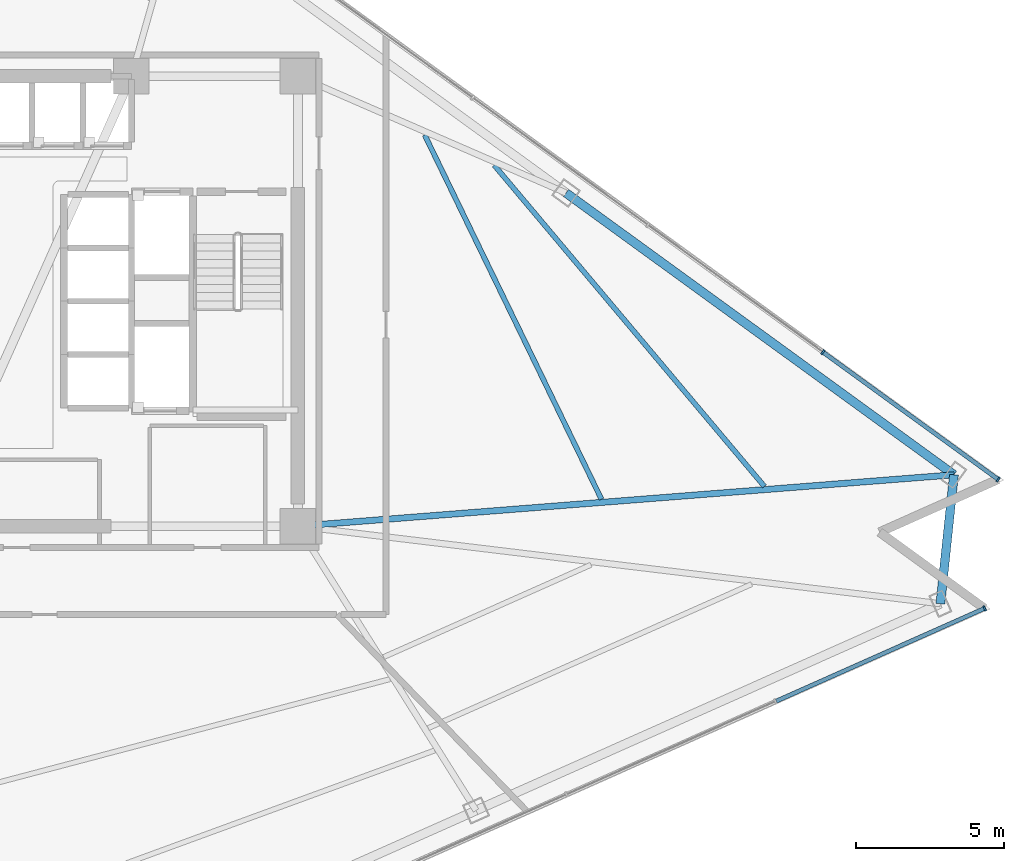
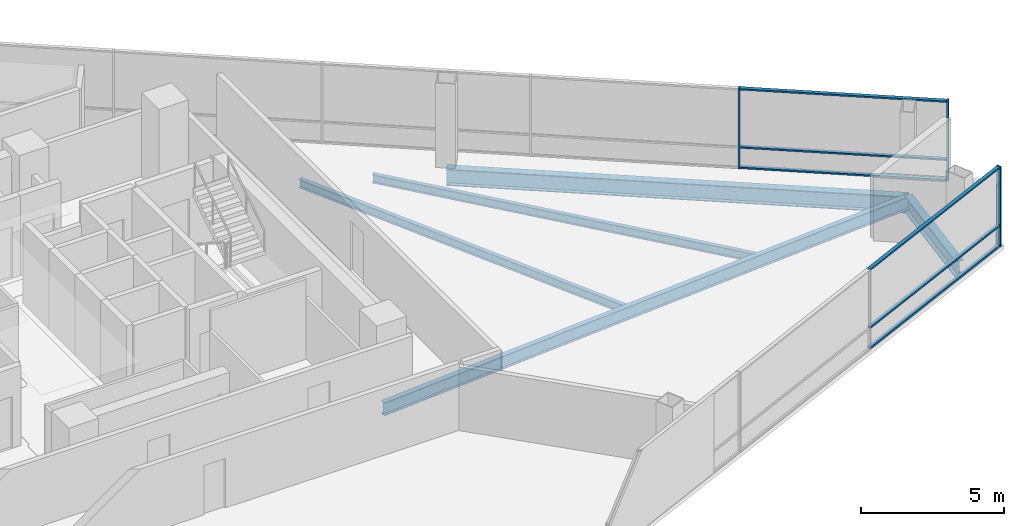
# One storey, part 6 of 16: 9 members, 5 beams, 2 elements without a shape of their own.
"""IFC4 building model written with IfcOpenShell, lengths in metres."""

from ifc_helpers import new_model, si_unit, direction, frame, origin, origin_2d, place, context, subcontext, project, spatial, rectangle, i_section, extrude, material, layer, layer_set, material_profile, profile_set, type_object, element, aggregate, save


model = new_model("IFC4")

# Units and contexts
model_context = context("Model", 3, precision=1e-05, world=origin(), true_north=direction((0.0, 1.0)))
body_context = subcontext(model_context, "Body", "Model", "MODEL_VIEW")
ifc_project = project(units=[si_unit("LENGTHUNIT", "METRE"), si_unit("AREAUNIT", "SQUARE_METRE"), si_unit("VOLUMEUNIT", "CUBIC_METRE"), si_unit("PLANEANGLEUNIT", "RADIAN"), si_unit("MASSUNIT", "GRAM", prefix="KILO")], contexts=[model_context])

# Site, building, storey
site_placement = place(None, origin())
site = spatial("IfcSite", under=ifc_project, at=site_placement, CompositionType="ELEMENT")
building_placement = place(site_placement, origin())
building = spatial("IfcBuilding", under=site, at=building_placement, Name="Tharavind Bronze Gate", CompositionType="ELEMENT")
storey_placement = place(building_placement, frame((0.0, 0.0, 123.25)))
storey = spatial("IfcBuildingStorey", under=building, at=storey_placement, Name="L31", CompositionType="ELEMENT", Elevation=123.25)

# Curtain wall, member
ifc_material_1 = material(Name="Anodised Bronze Aluminium", Category="aluminium")
ifc_layer = layer(ifc_material_1, 0.219970703125)
ifc_layer_set = layer_set([ifc_layer], Name="Anodised Bronze Aluminium")
curtain_wall_type = type_object("IfcCurtainWallType", Name="UNITISED CURTAIN WALL LOWER OFFICE", PredefinedType="USERDEFINED", material=ifc_layer_set)
curtain_wall_1_placement = place(storey_placement, origin())
curtain_wall_1 = element("IfcCurtainWall", 1, at=curtain_wall_1_placement, inside=storey, type_object=curtain_wall_type, Name="L31 unitised curtain wall lower office CW-L31-S2", ObjectType="UNITISED CURTAIN WALL", PredefinedType="USERDEFINED")
member_type_1 = type_object("IfcMemberType", Name="CURTAIN WALL BRONZE MULLION 65X180", PredefinedType="MULLION", material=ifc_material_1)
member_1_placement = place(storey_placement, frame((32.099853515625, -10.3759765625, 0.0), z_axis=(0.0, 0.0, 1.0), x_axis=(0.913545457643, 0.406736643076, 0.0)))
member_1 = element("IfcMember", 2, at=member_1_placement, type_object=member_type_1, Name="CW-L31-S2 mullion 8", PredefinedType="MULLION", context=body_context, shape_type="SweptSolid", body=[
    extrude(rectangle(XDim=0.06494140625, YDim=0.179931640625, at=origin_2d()), origin(), (0.0, 0.0, 1.0), 3.409912109375),
])

# Curtain wall, members
curtain_wall_2_placement = place(storey_placement, origin())
curtain_wall_2 = element("IfcCurtainWall", 3, at=curtain_wall_2_placement, inside=storey, type_object=curtain_wall_type, Name="L31 unitised curtain wall lower office CW-L31-S3", ObjectType="UNITISED CURTAIN WALL", PredefinedType="USERDEFINED")
member_2_placement = place(storey_placement, frame((32.5576171875, -6.02001953125, 0.0), z_axis=(0.0, 0.0, 1.0), x_axis=(-0.809016994375, 0.587785252292, 0.0)))
member_2 = element("IfcMember", 4, at=member_2_placement, type_object=member_type_1, Name="CW-L31-S3 mullion 1", PredefinedType="MULLION", context=body_context, shape_type="SweptSolid", body=[
    extrude(rectangle(XDim=0.06494140625, YDim=0.179931640625, at=origin_2d()), origin(), (0.0, 0.0, 1.0), 3.409912109375),
])
member_3_placement = place(storey_placement, frame((26.64111328125, -1.72119140625, 0.0), z_axis=(0.0, 0.0, 1.0), x_axis=(-0.809016994375, 0.587785252292, 0.0)))
member_3 = element("IfcMember", 5, at=member_3_placement, type_object=member_type_1, Name="CW-L31-S3 mullion 2", PredefinedType="MULLION", context=body_context, shape_type="SweptSolid", body=[
    extrude(rectangle(XDim=0.06494140625, YDim=0.179931640625, at=origin_2d()), origin(), (0.0, 0.0, 1.0), 3.409912109375),
])

# Member
member_type_2 = type_object("IfcMemberType", Name="CURTAIN WALL BRONZE TRANSOM 65X140", PredefinedType="USERDEFINED", material=ifc_material_1)
member_4_placement = place(storey_placement, frame((28.568603515625, -11.947998046875, 0.0), z_axis=(0.0, 0.0, 1.0), x_axis=(0.913545457643, 0.406736643076, 0.0)))
member_4 = element("IfcMember", 6, at=member_4_placement, type_object=member_type_2, Name="CW-L31-S2 transom TB7", ObjectType="TRANSOM", PredefinedType="USERDEFINED", context=body_context, shape_type="SweptSolid", body=[
    extrude(rectangle(XDim=7.677490234375, YDim=0.139892578125, at=origin_2d()), origin(), (0.0, 0.0, 1.0), 0.06494140625),
])

member_5_placement = place(storey_placement, frame((28.568603515625, -11.947998046875, 0.867431640625), z_axis=(0.0, 0.0, 1.0), x_axis=(0.913545457643, 0.406736643076, 0.0)))
member_5 = element("IfcMember", 7, at=member_5_placement, type_object=member_type_2, Name="CW-L31-S2 transom TS7", ObjectType="TRANSOM", PredefinedType="USERDEFINED", context=body_context, shape_type="SweptSolid", body=[
    extrude(rectangle(XDim=7.677490234375, YDim=0.139892578125, at=origin_2d()), origin(), (0.0, 0.0, 1.0), 0.06494140625),
])

member_6_placement = place(storey_placement, frame((28.568603515625, -11.947998046875, 3.344970703125), z_axis=(0.0, 0.0, 1.0), x_axis=(0.913545457643, 0.406736643076, 0.0)))
member_6 = element("IfcMember", 8, at=member_6_placement, type_object=member_type_2, Name="CW-L31-S2 transom TT7", ObjectType="TRANSOM", PredefinedType="USERDEFINED", context=body_context, shape_type="SweptSolid", body=[
    extrude(rectangle(XDim=7.677490234375, YDim=0.139892578125, at=origin_2d()), origin(), (0.0, 0.0, 1.0), 0.06494140625),
])

aggregate(curtain_wall_1, [member_1, member_4, member_5, member_6])

member_7_placement = place(storey_placement, frame((29.599365234375, -3.87060546875, 0.0), z_axis=(0.0, 0.0, 1.0), x_axis=(-0.809016994375, 0.587785252292, 0.0)))
member_7 = element("IfcMember", 9, at=member_7_placement, type_object=member_type_2, Name="CW-L31-S3 transom TB1", ObjectType="TRANSOM", PredefinedType="USERDEFINED", context=body_context, shape_type="SweptSolid", body=[
    extrude(rectangle(XDim=7.260498046875, YDim=0.139892578125, at=origin_2d()), origin(), (0.0, 0.0, 1.0), 0.06494140625),
])

member_8_placement = place(storey_placement, frame((29.599365234375, -3.87060546875, 0.867431640625), z_axis=(0.0, 0.0, 1.0), x_axis=(-0.809016994375, 0.587785252292, 0.0)))
member_8 = element("IfcMember", 10, at=member_8_placement, type_object=member_type_2, Name="CW-L31-S3 transom TS1", ObjectType="TRANSOM", PredefinedType="USERDEFINED", context=body_context, shape_type="SweptSolid", body=[
    extrude(rectangle(XDim=7.260498046875, YDim=0.139892578125, at=origin_2d()), origin(), (0.0, 0.0, 1.0), 0.06494140625),
])

member_9_placement = place(storey_placement, frame((29.599365234375, -3.87060546875, 3.344970703125), z_axis=(0.0, 0.0, 1.0), x_axis=(-0.809016994375, 0.587785252292, 0.0)))
member_9 = element("IfcMember", 11, at=member_9_placement, type_object=member_type_2, Name="CW-L31-S3 transom TT1", ObjectType="TRANSOM", PredefinedType="USERDEFINED", context=body_context, shape_type="SweptSolid", body=[
    extrude(rectangle(XDim=7.260498046875, YDim=0.139892578125, at=origin_2d()), origin(), (0.0, 0.0, 1.0), 0.06494140625),
])

aggregate(curtain_wall_2, [member_2, member_3, member_7, member_8, member_9])

# Beams
ifc_material_2 = material(Name="Steel S355", Category="steel")
ifc_material_profile_1 = material_profile(ifc_material_2, i_section(OverallWidth=0.2099609375, OverallDepth=0.550048828125, WebThickness=0.010986328125, FlangeThickness=0.01708984375, at=origin_2d()), Name="IPE550")
ifc_profile_set_1 = profile_set([ifc_material_profile_1], Name="Steel S355")
beam_type_1 = type_object("IfcBeamType", Name="PRIMARY GIRDER IPE550", PredefinedType="USERDEFINED", material=ifc_profile_set_1)
beam_1_placement = place(storey_placement, frame((31.06591796875, -5.863037109375, -0.465087890625), z_axis=(-0.996943461066, -0.078126406792, 0.0), x_axis=(0.078126406792, -0.996943461066, 0.0)))
element("IfcBeam", 12, at=beam_1_placement, inside=storey, type_object=beam_type_1, Name="L31 primary girder ipe550 BM-L31-RAD09", ObjectType="GIRDER", PredefinedType="USERDEFINED", context=body_context, shape_type="SweptSolid", body=[
    extrude(i_section(OverallWidth=0.2099609375, OverallDepth=0.550048828125, WebThickness=0.010986328125, FlangeThickness=0.01708984375, at=origin_2d()), origin(), (0.0, 0.0, 1.0), 22.23388671875),
])
ifc_material_profile_2 = material_profile(ifc_material_2, i_section(OverallWidth=0.300048828125, OverallDepth=0.699951171875, WebThickness=0.01708984375, FlangeThickness=0.031982421875, at=origin_2d()), Name="HE700B")
ifc_profile_set_2 = profile_set([ifc_material_profile_2], Name="Steel S355")
beam_type_2 = type_object("IfcBeamType", Name="RING GIRDER HE700B", PredefinedType="USERDEFINED", material=ifc_profile_set_2)
beam_2_placement = place(storey_placement, frame((30.60791015625, -10.218994140625, -0.5400390625), z_axis=(0.1045687219, 0.994517663192, 0.0), x_axis=(-0.994517663192, 0.1045687219, 0.0)))
element("IfcBeam", 13, at=beam_2_placement, inside=storey, type_object=beam_type_2, Name="L31 ring girder he700b BM-L31-PRG08", ObjectType="GIRDER", PredefinedType="USERDEFINED", context=body_context, shape_type="SweptSolid", body=[
    extrude(i_section(OverallWidth=0.300048828125, OverallDepth=0.699951171875, WebThickness=0.01708984375, FlangeThickness=0.031982421875, at=origin_2d()), origin(), (0.0, 0.0, 1.0), 4.3798828125),
])
beam_3_placement = place(storey_placement, frame((31.06591796875, -5.863037109375, -0.5400390625), z_axis=(-0.809014294341, 0.587788968553, 0.0), x_axis=(-0.587788968553, -0.809014294341, 0.0)))
element("IfcBeam", 14, at=beam_3_placement, inside=storey, type_object=beam_type_2, Name="L31 ring girder he700b BM-L31-PRG09", ObjectType="GIRDER", PredefinedType="USERDEFINED", context=body_context, shape_type="SweptSolid", body=[
    extrude(i_section(OverallWidth=0.300048828125, OverallDepth=0.699951171875, WebThickness=0.01708984375, FlangeThickness=0.031982421875, at=origin_2d()), origin(), (0.0, 0.0, 1.0), 16.198486328125),
])
ifc_material_profile_3 = material_profile(ifc_material_2, i_section(OverallWidth=0.169921875, OverallDepth=0.360107421875, WebThickness=0.008056640625, FlangeThickness=0.0126953125, at=origin_2d()), Name="IPE360")
ifc_profile_set_3 = profile_set([ifc_material_profile_3], Name="Steel S355")
beam_type_3 = type_object("IfcBeamType", Name="SECONDARY FLOOR JOIST IPE360", PredefinedType="JOIST", material=ifc_profile_set_3)
beam_4_placement = place(storey_placement, frame((19.15625, -6.687255859375, -0.3701171875), z_axis=(-0.436529248779, 0.899690066056, 0.0), x_axis=(-0.899690066056, -0.436529248779, 0.0)))
element("IfcBeam", 15, at=beam_4_placement, inside=storey, type_object=beam_type_3, Name="L31 secondary floor joist ipe360 BM-L31-JSTA09", PredefinedType="JOIST", context=body_context, shape_type="SweptSolid", body=[
    extrude(i_section(OverallWidth=0.169921875, OverallDepth=0.360107421875, WebThickness=0.008056640625, FlangeThickness=0.0126953125, at=origin_2d()), origin(), (0.0, 0.0, 1.0), 13.677734375),
])
beam_5_placement = place(storey_placement, frame((24.662841796875, -6.256103515625, -0.3701171875), z_axis=(-0.643699388619, 0.765278444157, 0.0), x_axis=(-0.765278444157, -0.643699388619, 0.0)))
element("IfcBeam", 16, at=beam_5_placement, inside=storey, type_object=beam_type_3, Name="L31 secondary floor joist ipe360 BM-L31-JSTB09", PredefinedType="JOIST", context=body_context, shape_type="SweptSolid", body=[
    extrude(i_section(OverallWidth=0.169921875, OverallDepth=0.360107421875, WebThickness=0.008056640625, FlangeThickness=0.0126953125, at=origin_2d()), origin(), (0.0, 0.0, 1.0), 14.18310546875),
])

save(model, "model.ifc")
